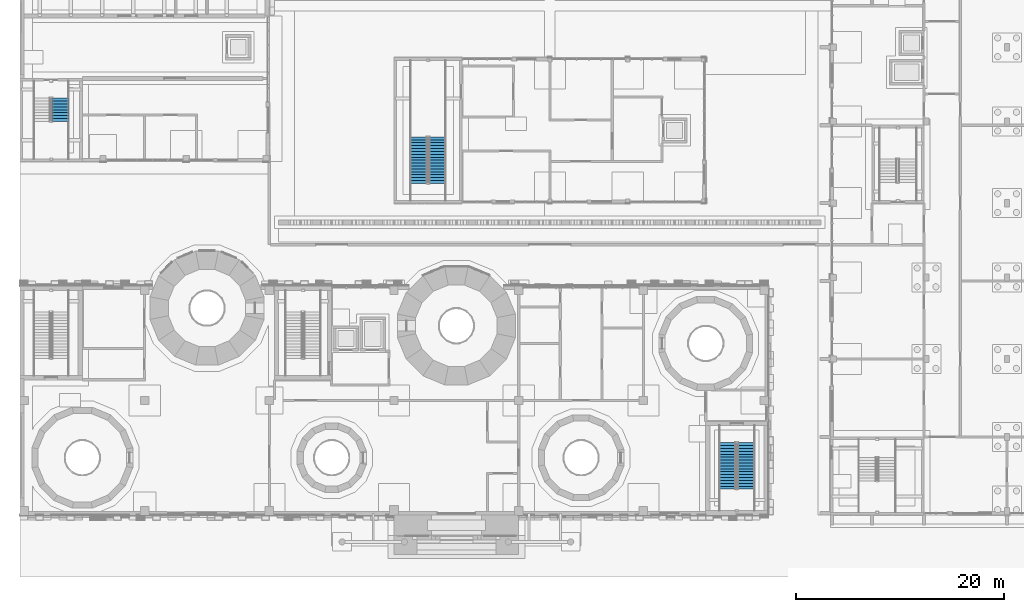
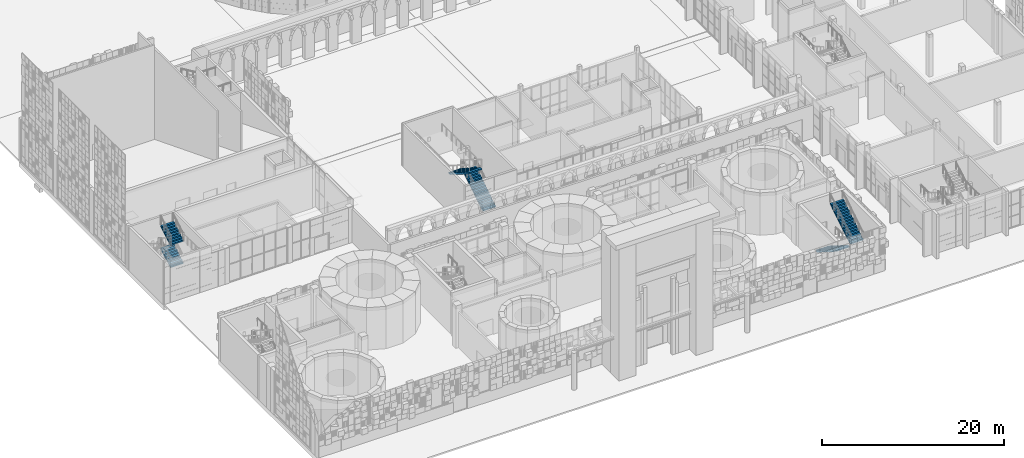
# One storey, part 61 of 125: 6 stair flights, 3 elements without a shape of their own.
"""IFC4 building model written with IfcOpenShell, lengths in metres."""

from ifc_helpers import new_model, si_unit, direction, frame, origin, place, context, subcontext, project, spatial, polyline, outline, extrude, material, type_object, element, aggregate, save


model = new_model("IFC4")

# Units and contexts
model_context = context("Model", 3, precision=1e-05, world=origin(), true_north=direction((0.0, 1.0)))
body_context = subcontext(model_context, "Body", "Model", "MODEL_VIEW")
ifc_project = project(units=[si_unit("LENGTHUNIT", "METRE"), si_unit("AREAUNIT", "SQUARE_METRE"), si_unit("VOLUMEUNIT", "CUBIC_METRE"), si_unit("PLANEANGLEUNIT", "RADIAN"), si_unit("MASSUNIT", "GRAM", prefix="KILO")], contexts=[model_context])

# Site, building, storey
site_placement = place(None, origin())
site = spatial("IfcSite", under=ifc_project, at=site_placement, CompositionType="ELEMENT")
building_placement = place(site_placement, origin())
building = spatial("IfcBuilding", under=site, at=building_placement, Name="Sun Court Science Centre", CompositionType="ELEMENT")
storey_placement = place(building_placement, origin())
storey = spatial("IfcBuildingStorey", under=building, at=storey_placement, Name="L00", CompositionType="ELEMENT", Elevation=0.0)

# Stair, stair flights
ifc_material_1 = material(Name="Concrete C25/30", Category="concrete")
stair_type = type_object("IfcStairType", Name="Stair 1500 enclosed half-turn", PredefinedType="HALF_TURN_STAIR", material=ifc_material_1)
stair_1_placement = place(storey_placement, origin())
stair_1 = element("IfcStair", 1, at=stair_1_placement, inside=storey, type_object=stair_type, Name="L00 Stair SB3", PredefinedType="HALF_TURN_STAIR")
ifc_material_2 = material(Name="Concrete C25/30", Category="concrete")
stair_flight_type = type_object("IfcStairFlightType", Name="Stair flight 1500 with waist", PredefinedType="STRAIGHT", material=ifc_material_2)
stair_flight_1_placement = place(storey_placement, frame((68.10107421875, 12.951904296875, 0.0), z_axis=(0.0, 0.0, 1.0), x_axis=(0.0, -1.0, 0.0)))
stair_flight_1 = element("IfcStairFlight", 2, at=stair_flight_1_placement, type_object=stair_flight_type, Name="SB3 flight 1", NumberOfRisers=17, NumberOfTreads=16, PredefinedType="STRAIGHT", RiserHeight=0.176470588, TreadLength=0.28, context=body_context, shape_type="SweptSolid", body=[
    extrude(outline(polyline([(0.0, 0.0), (0.0, 0.176513671875), (0.280029296875, 0.176513671875), (0.280029296875, 0.35302734375), (0.56005859375, 0.35302734375), (0.56005859375, 0.529296875), (0.840087890625, 0.529296875), (0.840087890625, 0.705810546875), (1.1201171875, 0.705810546875), (1.1201171875, 0.88232421875), (1.39990234375, 0.88232421875), (1.39990234375, 1.058837890625), (1.679931640625, 1.058837890625), (1.679931640625, 1.2353515625), (1.9599609375, 1.2353515625), (1.9599609375, 1.411865234375), (2.239990234375, 1.411865234375), (2.239990234375, 1.588134765625), (2.52001953125, 1.588134765625), (2.52001953125, 1.7646484375), (2.800048828125, 1.7646484375), (2.800048828125, 1.941162109375), (3.080078125, 1.941162109375), (3.080078125, 2.11767578125), (3.360107421875, 2.11767578125), (3.360107421875, 2.294189453125), (3.639892578125, 2.294189453125), (3.639892578125, 2.470703125), (3.919921875, 2.470703125), (3.919921875, 2.64697265625), (4.199951171875, 2.64697265625), (4.199951171875, 2.823486328125), (4.47998046875, 2.823486328125), (4.47998046875, 3.0), (4.47998046875, 2.646240234375), (0.28125, 0.0), (0.0, 0.0)])), frame((0.0, 0.823974609375, 0.0), z_axis=(0.0, -1.0, 0.0), x_axis=(1.0, 0.0, 0.0)), (0.0, 0.0, 1.0), 1.64794921875),
])
stair_flight_2_placement = place(storey_placement, frame((69.89892578125, 8.471923828125, 3.0), z_axis=(0.0, 0.0, 1.0), x_axis=(0.0, 1.0, 0.0)))
stair_flight_2 = element("IfcStairFlight", 3, at=stair_flight_2_placement, type_object=stair_flight_type, Name="SB3 flight 2", NumberOfRisers=17, NumberOfTreads=16, PredefinedType="STRAIGHT", RiserHeight=0.176470588, TreadLength=0.28, context=body_context, shape_type="SweptSolid", body=[
    extrude(outline(polyline([(0.0, 0.0), (0.0, 0.176513671875), (0.280029296875, 0.176513671875), (0.280029296875, 0.35302734375), (0.56005859375, 0.35302734375), (0.56005859375, 0.529296875), (0.840087890625, 0.529296875), (0.840087890625, 0.705810546875), (1.1201171875, 0.705810546875), (1.1201171875, 0.88232421875), (1.39990234375, 0.88232421875), (1.39990234375, 1.058837890625), (1.679931640625, 1.058837890625), (1.679931640625, 1.2353515625), (1.9599609375, 1.2353515625), (1.9599609375, 1.411865234375), (2.239990234375, 1.411865234375), (2.239990234375, 1.588134765625), (2.52001953125, 1.588134765625), (2.52001953125, 1.7646484375), (2.800048828125, 1.7646484375), (2.800048828125, 1.941162109375), (3.080078125, 1.941162109375), (3.080078125, 2.11767578125), (3.360107421875, 2.11767578125), (3.360107421875, 2.294189453125), (3.639892578125, 2.294189453125), (3.639892578125, 2.470703125), (3.919921875, 2.470703125), (3.919921875, 2.64697265625), (4.199951171875, 2.64697265625), (4.199951171875, 2.823486328125), (4.47998046875, 2.823486328125), (4.47998046875, 3.0), (4.47998046875, 2.646240234375), (0.28125, 0.0), (0.0, 0.0)])), frame((0.0, 0.823974609375, 0.0), z_axis=(0.0, -1.0, 0.0), x_axis=(1.0, 0.0, 0.0)), (0.0, 0.0, 1.0), 1.64794921875),
])
aggregate(stair_1, [stair_flight_1, stair_flight_2])

stair_2_placement = place(storey_placement, origin())
stair_2 = element("IfcStair", 4, at=stair_2_placement, inside=storey, type_object=stair_type, Name="L00 Stair ST1", PredefinedType="HALF_TURN_STAIR")
stair_flight_3_placement = place(storey_placement, frame((3.89892578125, 43.862060546875, 1.5), z_axis=(0.0, 0.0, 1.0), x_axis=(0.0, 1.0, 0.0)))
stair_flight_3 = element("IfcStairFlight", 5, at=stair_flight_3_placement, type_object=stair_flight_type, Name="ST1 flight 2", NumberOfRisers=9, NumberOfTreads=8, PredefinedType="STRAIGHT", RiserHeight=0.166666667, TreadLength=0.28, context=body_context, shape_type="SweptSolid", body=[
    extrude(outline(polyline([(0.0, 0.0), (0.0, 0.00244140625), (0.0, 0.0048828125), (0.0, 0.00732421875), (0.0, 0.009765625), (0.0, 0.01220703125), (0.0, 0.0146484375), (0.0, 0.01708984375), (0.0, 0.01953125), (0.0, 0.02197265625), (0.0, 0.0244140625), (0.0, 0.02685546875), (0.0, 0.029296875), (0.0, 0.03173828125), (0.0, 0.0341796875), (0.0, 0.03662109375), (0.0, 0.0390625), (0.0, 0.04150390625), (0.0, 0.0439453125), (0.0, 0.04638671875), (0.0, 0.048828125), (0.0, 0.05126953125), (0.0, 0.0537109375), (0.0, 0.05615234375), (0.0, 0.05859375), (0.0, 0.06103515625), (0.0, 0.0634765625), (0.0, 0.06591796875), (0.0, 0.068359375), (0.0, 0.07080078125), (0.0, 0.0732421875), (0.0, 0.07568359375), (0.0, 0.078125), (0.0, 0.08056640625), (0.0, 0.0830078125), (0.0, 0.08544921875), (0.0, 0.087890625), (0.0, 0.09033203125), (0.0, 0.0927734375), (0.0, 0.09521484375), (0.0, 0.09765625), (0.0, 0.10009765625), (0.0, 0.1025390625), (0.0, 0.10498046875), (0.0, 0.107421875), (0.0, 0.10986328125), (0.0, 0.1123046875), (0.0, 0.11474609375), (0.0, 0.1171875), (0.0, 0.11962890625), (0.0, 0.1220703125), (0.0, 0.12451171875), (0.0, 0.126953125), (0.0, 0.12939453125), (0.0, 0.1318359375), (0.0, 0.13427734375), (0.0, 0.13671875), (0.0, 0.13916015625), (0.0, 0.1416015625), (0.0, 0.14404296875), (0.0, 0.146484375), (0.0, 0.14892578125), (0.0, 0.1513671875), (0.0, 0.15380859375), (0.0, 0.15625), (0.0, 0.15869140625), (0.0, 0.1611328125), (0.0, 0.16357421875), (0.0, 0.166748046875), (0.280029296875, 0.166748046875), (0.280029296875, 0.333251953125), (0.56005859375, 0.333251953125), (0.56005859375, 0.5), (0.840087890625, 0.5), (0.840087890625, 0.666748046875), (1.1201171875, 0.666748046875), (1.1201171875, 0.833251953125), (1.39990234375, 0.833251953125), (1.39990234375, 1.0), (1.679931640625, 1.0), (1.679931640625, 1.166748046875), (1.9599609375, 1.166748046875), (1.9599609375, 1.333251953125), (2.239990234375, 1.333251953125), (2.239990234375, 1.335693359375), (2.239990234375, 1.338134765625), (2.239990234375, 1.340576171875), (2.239990234375, 1.343017578125), (2.239990234375, 1.345458984375), (2.239990234375, 1.347900390625), (2.239990234375, 1.350341796875), (2.239990234375, 1.352783203125), (2.239990234375, 1.355224609375), (2.239990234375, 1.357666015625), (2.239990234375, 1.360107421875), (2.239990234375, 1.362548828125), (2.239990234375, 1.364990234375), (2.239990234375, 1.367431640625), (2.239990234375, 1.369873046875), (2.239990234375, 1.372314453125), (2.239990234375, 1.374755859375), (2.239990234375, 1.377197265625), (2.239990234375, 1.379638671875), (2.239990234375, 1.382080078125), (2.239990234375, 1.384521484375), (2.239990234375, 1.386962890625), (2.239990234375, 1.389404296875), (2.239990234375, 1.391845703125), (2.239990234375, 1.394287109375), (2.239990234375, 1.396728515625), (2.239990234375, 1.399169921875), (2.239990234375, 1.401611328125), (2.239990234375, 1.404052734375), (2.239990234375, 1.406494140625), (2.239990234375, 1.408935546875), (2.239990234375, 1.411376953125), (2.239990234375, 1.413818359375), (2.239990234375, 1.416259765625), (2.239990234375, 1.418701171875), (2.239990234375, 1.421142578125), (2.239990234375, 1.423583984375), (2.239990234375, 1.426025390625), (2.239990234375, 1.428466796875), (2.239990234375, 1.430908203125), (2.239990234375, 1.433349609375), (2.239990234375, 1.435791015625), (2.239990234375, 1.438232421875), (2.239990234375, 1.440673828125), (2.239990234375, 1.443115234375), (2.239990234375, 1.445556640625), (2.239990234375, 1.447998046875), (2.239990234375, 1.450439453125), (2.239990234375, 1.452880859375), (2.239990234375, 1.455322265625), (2.239990234375, 1.457763671875), (2.239990234375, 1.460205078125), (2.239990234375, 1.462646484375), (2.239990234375, 1.465087890625), (2.239990234375, 1.467529296875), (2.239990234375, 1.469970703125), (2.239990234375, 1.472412109375), (2.239990234375, 1.474853515625), (2.239990234375, 1.477294921875), (2.239990234375, 1.479736328125), (2.239990234375, 1.482177734375), (2.239990234375, 1.484619140625), (2.239990234375, 1.487060546875), (2.239990234375, 1.489501953125), (2.239990234375, 1.491943359375), (2.239990234375, 1.494384765625), (2.239990234375, 1.496826171875), (2.239990234375, 1.5), (2.239990234375, 1.49755859375), (2.239990234375, 1.4951171875), (2.239990234375, 1.49267578125), (2.239990234375, 1.490234375), (2.239990234375, 1.48779296875), (2.239990234375, 1.4853515625), (2.239990234375, 1.48291015625), (2.239990234375, 1.48046875), (2.239990234375, 1.47802734375), (2.239990234375, 1.4755859375), (2.239990234375, 1.47314453125), (2.239990234375, 1.470703125), (2.239990234375, 1.46826171875), (2.239990234375, 1.4658203125), (2.239990234375, 1.46337890625), (2.239990234375, 1.4609375), (2.239990234375, 1.45849609375), (2.239990234375, 1.4560546875), (2.239990234375, 1.45361328125), (2.239990234375, 1.451171875), (2.239990234375, 1.44873046875), (2.239990234375, 1.4462890625), (2.239990234375, 1.44384765625), (2.239990234375, 1.44140625), (2.239990234375, 1.43896484375), (2.239990234375, 1.4365234375), (2.239990234375, 1.43408203125), (2.239990234375, 1.431640625), (2.239990234375, 1.42919921875), (2.239990234375, 1.4267578125), (2.239990234375, 1.42431640625), (2.239990234375, 1.421875), (2.239990234375, 1.41943359375), (2.239990234375, 1.4169921875), (2.239990234375, 1.41455078125), (2.239990234375, 1.412109375), (2.239990234375, 1.40966796875), (2.239990234375, 1.4072265625), (2.239990234375, 1.40478515625), (2.239990234375, 1.40234375), (2.239990234375, 1.39990234375), (2.239990234375, 1.3974609375), (2.239990234375, 1.39501953125), (2.239990234375, 1.392578125), (2.239990234375, 1.39013671875), (2.239990234375, 1.3876953125), (2.239990234375, 1.38525390625), (2.239990234375, 1.3828125), (2.239990234375, 1.38037109375), (2.239990234375, 1.3779296875), (2.239990234375, 1.37548828125), (2.239990234375, 1.373046875), (2.239990234375, 1.37060546875), (2.239990234375, 1.3681640625), (2.239990234375, 1.36572265625), (2.239990234375, 1.36328125), (2.239990234375, 1.36083984375), (2.239990234375, 1.3583984375), (2.239990234375, 1.35595703125), (2.239990234375, 1.353515625), (2.239990234375, 1.35107421875), (2.239990234375, 1.3486328125), (2.239990234375, 1.34619140625), (2.239990234375, 1.34375), (2.239990234375, 1.34130859375), (2.239990234375, 1.3388671875), (2.239990234375, 1.33642578125), (2.239990234375, 1.333984375), (2.239990234375, 1.33154296875), (2.239990234375, 1.3291015625), (2.239990234375, 1.32666015625), (2.239990234375, 1.32421875), (2.239990234375, 1.32177734375), (2.239990234375, 1.3193359375), (2.239990234375, 1.31689453125), (2.239990234375, 1.314453125), (2.239990234375, 1.31201171875), (2.239990234375, 1.3095703125), (2.239990234375, 1.30712890625), (2.239990234375, 1.3046875), (2.239990234375, 1.30224609375), (2.239990234375, 1.2998046875), (2.239990234375, 1.29736328125), (2.239990234375, 1.294921875), (2.239990234375, 1.29248046875), (2.239990234375, 1.2900390625), (2.239990234375, 1.28759765625), (2.239990234375, 1.28515625), (2.239990234375, 1.28271484375), (2.239990234375, 1.2802734375), (2.239990234375, 1.27783203125), (2.239990234375, 1.275390625), (2.239990234375, 1.27294921875), (2.239990234375, 1.2705078125), (2.239990234375, 1.26806640625), (2.239990234375, 1.265625), (2.239990234375, 1.26318359375), (2.239990234375, 1.2607421875), (2.239990234375, 1.25830078125), (2.239990234375, 1.255859375), (2.239990234375, 1.25341796875), (2.239990234375, 1.2509765625), (2.239990234375, 1.24853515625), (2.239990234375, 1.24609375), (2.239990234375, 1.24365234375), (2.239990234375, 1.2412109375), (2.239990234375, 1.23876953125), (2.239990234375, 1.236328125), (2.239990234375, 1.23388671875), (2.239990234375, 1.2314453125), (2.239990234375, 1.22900390625), (2.239990234375, 1.2265625), (2.239990234375, 1.22412109375), (2.239990234375, 1.2216796875), (2.239990234375, 1.21923828125), (2.239990234375, 1.216796875), (2.239990234375, 1.21435546875), (2.239990234375, 1.2119140625), (2.239990234375, 1.20947265625), (2.239990234375, 1.20703125), (2.239990234375, 1.20458984375), (2.239990234375, 1.2021484375), (2.239990234375, 1.19970703125), (2.239990234375, 1.197265625), (2.239990234375, 1.19482421875), (2.239990234375, 1.1923828125), (2.239990234375, 1.18994140625), (2.239990234375, 1.1875), (2.239990234375, 1.18505859375), (2.239990234375, 1.1826171875), (2.239990234375, 1.18017578125), (2.239990234375, 1.177734375), (2.239990234375, 1.17529296875), (2.239990234375, 1.1728515625), (2.239990234375, 1.17041015625), (2.239990234375, 1.16796875), (2.239990234375, 1.16552734375), (2.239990234375, 1.1630859375), (2.239990234375, 1.158935546875), (0.29296875, 0.0), (0.0, 0.0)])), frame((0.0, 0.823974609375, 0.0), z_axis=(0.0, -1.0, 0.0), x_axis=(1.0, 0.0, 0.0)), (0.0, 0.0, 1.0), 1.64794921875),
])
stair_flight_4_placement = place(storey_placement, frame((3.89892578125, 43.862060546875, 4.5), z_axis=(0.0, 0.0, 1.0), x_axis=(0.0, 1.0, 0.0)))
stair_flight_4 = element("IfcStairFlight", 6, at=stair_flight_4_placement, type_object=stair_flight_type, Name="ST1 flight 4", NumberOfRisers=9, NumberOfTreads=8, PredefinedType="STRAIGHT", RiserHeight=0.166666667, TreadLength=0.28, context=body_context, shape_type="SweptSolid", body=[
    extrude(outline(polyline([(0.0, 0.0), (0.0, 0.00244140625), (0.0, 0.0048828125), (0.0, 0.00732421875), (0.0, 0.009765625), (0.0, 0.01220703125), (0.0, 0.0146484375), (0.0, 0.01708984375), (0.0, 0.01953125), (0.0, 0.02197265625), (0.0, 0.0244140625), (0.0, 0.02685546875), (0.0, 0.029296875), (0.0, 0.03173828125), (0.0, 0.0341796875), (0.0, 0.03662109375), (0.0, 0.0390625), (0.0, 0.04150390625), (0.0, 0.0439453125), (0.0, 0.04638671875), (0.0, 0.048828125), (0.0, 0.05126953125), (0.0, 0.0537109375), (0.0, 0.05615234375), (0.0, 0.05859375), (0.0, 0.06103515625), (0.0, 0.0634765625), (0.0, 0.06591796875), (0.0, 0.068359375), (0.0, 0.07080078125), (0.0, 0.0732421875), (0.0, 0.07568359375), (0.0, 0.078125), (0.0, 0.08056640625), (0.0, 0.0830078125), (0.0, 0.08544921875), (0.0, 0.087890625), (0.0, 0.09033203125), (0.0, 0.0927734375), (0.0, 0.09521484375), (0.0, 0.09765625), (0.0, 0.10009765625), (0.0, 0.1025390625), (0.0, 0.10498046875), (0.0, 0.107421875), (0.0, 0.10986328125), (0.0, 0.1123046875), (0.0, 0.11474609375), (0.0, 0.1171875), (0.0, 0.11962890625), (0.0, 0.1220703125), (0.0, 0.12451171875), (0.0, 0.126953125), (0.0, 0.12939453125), (0.0, 0.1318359375), (0.0, 0.13427734375), (0.0, 0.13671875), (0.0, 0.13916015625), (0.0, 0.1416015625), (0.0, 0.14404296875), (0.0, 0.146484375), (0.0, 0.14892578125), (0.0, 0.1513671875), (0.0, 0.15380859375), (0.0, 0.15625), (0.0, 0.15869140625), (0.0, 0.1611328125), (0.0, 0.16357421875), (0.0, 0.166748046875), (0.280029296875, 0.166748046875), (0.280029296875, 0.333251953125), (0.56005859375, 0.333251953125), (0.56005859375, 0.5), (0.840087890625, 0.5), (0.840087890625, 0.666748046875), (1.1201171875, 0.666748046875), (1.1201171875, 0.833251953125), (1.39990234375, 0.833251953125), (1.39990234375, 1.0), (1.679931640625, 1.0), (1.679931640625, 1.166748046875), (1.9599609375, 1.166748046875), (1.9599609375, 1.333251953125), (2.239990234375, 1.333251953125), (2.239990234375, 1.335693359375), (2.239990234375, 1.338134765625), (2.239990234375, 1.340576171875), (2.239990234375, 1.343017578125), (2.239990234375, 1.345458984375), (2.239990234375, 1.347900390625), (2.239990234375, 1.350341796875), (2.239990234375, 1.352783203125), (2.239990234375, 1.355224609375), (2.239990234375, 1.357666015625), (2.239990234375, 1.360107421875), (2.239990234375, 1.362548828125), (2.239990234375, 1.364990234375), (2.239990234375, 1.367431640625), (2.239990234375, 1.369873046875), (2.239990234375, 1.372314453125), (2.239990234375, 1.374755859375), (2.239990234375, 1.377197265625), (2.239990234375, 1.379638671875), (2.239990234375, 1.382080078125), (2.239990234375, 1.384521484375), (2.239990234375, 1.386962890625), (2.239990234375, 1.389404296875), (2.239990234375, 1.391845703125), (2.239990234375, 1.394287109375), (2.239990234375, 1.396728515625), (2.239990234375, 1.399169921875), (2.239990234375, 1.401611328125), (2.239990234375, 1.404052734375), (2.239990234375, 1.406494140625), (2.239990234375, 1.408935546875), (2.239990234375, 1.411376953125), (2.239990234375, 1.413818359375), (2.239990234375, 1.416259765625), (2.239990234375, 1.418701171875), (2.239990234375, 1.421142578125), (2.239990234375, 1.423583984375), (2.239990234375, 1.426025390625), (2.239990234375, 1.428466796875), (2.239990234375, 1.430908203125), (2.239990234375, 1.433349609375), (2.239990234375, 1.435791015625), (2.239990234375, 1.438232421875), (2.239990234375, 1.440673828125), (2.239990234375, 1.443115234375), (2.239990234375, 1.445556640625), (2.239990234375, 1.447998046875), (2.239990234375, 1.450439453125), (2.239990234375, 1.452880859375), (2.239990234375, 1.455322265625), (2.239990234375, 1.457763671875), (2.239990234375, 1.460205078125), (2.239990234375, 1.462646484375), (2.239990234375, 1.465087890625), (2.239990234375, 1.467529296875), (2.239990234375, 1.469970703125), (2.239990234375, 1.472412109375), (2.239990234375, 1.474853515625), (2.239990234375, 1.477294921875), (2.239990234375, 1.479736328125), (2.239990234375, 1.482177734375), (2.239990234375, 1.484619140625), (2.239990234375, 1.487060546875), (2.239990234375, 1.489501953125), (2.239990234375, 1.491943359375), (2.239990234375, 1.494384765625), (2.239990234375, 1.496826171875), (2.239990234375, 1.5), (2.239990234375, 1.49755859375), (2.239990234375, 1.4951171875), (2.239990234375, 1.49267578125), (2.239990234375, 1.490234375), (2.239990234375, 1.48779296875), (2.239990234375, 1.4853515625), (2.239990234375, 1.48291015625), (2.239990234375, 1.48046875), (2.239990234375, 1.47802734375), (2.239990234375, 1.4755859375), (2.239990234375, 1.47314453125), (2.239990234375, 1.470703125), (2.239990234375, 1.46826171875), (2.239990234375, 1.4658203125), (2.239990234375, 1.46337890625), (2.239990234375, 1.4609375), (2.239990234375, 1.45849609375), (2.239990234375, 1.4560546875), (2.239990234375, 1.45361328125), (2.239990234375, 1.451171875), (2.239990234375, 1.44873046875), (2.239990234375, 1.4462890625), (2.239990234375, 1.44384765625), (2.239990234375, 1.44140625), (2.239990234375, 1.43896484375), (2.239990234375, 1.4365234375), (2.239990234375, 1.43408203125), (2.239990234375, 1.431640625), (2.239990234375, 1.42919921875), (2.239990234375, 1.4267578125), (2.239990234375, 1.42431640625), (2.239990234375, 1.421875), (2.239990234375, 1.41943359375), (2.239990234375, 1.4169921875), (2.239990234375, 1.41455078125), (2.239990234375, 1.412109375), (2.239990234375, 1.40966796875), (2.239990234375, 1.4072265625), (2.239990234375, 1.40478515625), (2.239990234375, 1.40234375), (2.239990234375, 1.39990234375), (2.239990234375, 1.3974609375), (2.239990234375, 1.39501953125), (2.239990234375, 1.392578125), (2.239990234375, 1.39013671875), (2.239990234375, 1.3876953125), (2.239990234375, 1.38525390625), (2.239990234375, 1.3828125), (2.239990234375, 1.38037109375), (2.239990234375, 1.3779296875), (2.239990234375, 1.37548828125), (2.239990234375, 1.373046875), (2.239990234375, 1.37060546875), (2.239990234375, 1.3681640625), (2.239990234375, 1.36572265625), (2.239990234375, 1.36328125), (2.239990234375, 1.36083984375), (2.239990234375, 1.3583984375), (2.239990234375, 1.35595703125), (2.239990234375, 1.353515625), (2.239990234375, 1.35107421875), (2.239990234375, 1.3486328125), (2.239990234375, 1.34619140625), (2.239990234375, 1.34375), (2.239990234375, 1.34130859375), (2.239990234375, 1.3388671875), (2.239990234375, 1.33642578125), (2.239990234375, 1.333984375), (2.239990234375, 1.33154296875), (2.239990234375, 1.3291015625), (2.239990234375, 1.32666015625), (2.239990234375, 1.32421875), (2.239990234375, 1.32177734375), (2.239990234375, 1.3193359375), (2.239990234375, 1.31689453125), (2.239990234375, 1.314453125), (2.239990234375, 1.31201171875), (2.239990234375, 1.3095703125), (2.239990234375, 1.30712890625), (2.239990234375, 1.3046875), (2.239990234375, 1.30224609375), (2.239990234375, 1.2998046875), (2.239990234375, 1.29736328125), (2.239990234375, 1.294921875), (2.239990234375, 1.29248046875), (2.239990234375, 1.2900390625), (2.239990234375, 1.28759765625), (2.239990234375, 1.28515625), (2.239990234375, 1.28271484375), (2.239990234375, 1.2802734375), (2.239990234375, 1.27783203125), (2.239990234375, 1.275390625), (2.239990234375, 1.27294921875), (2.239990234375, 1.2705078125), (2.239990234375, 1.26806640625), (2.239990234375, 1.265625), (2.239990234375, 1.26318359375), (2.239990234375, 1.2607421875), (2.239990234375, 1.25830078125), (2.239990234375, 1.255859375), (2.239990234375, 1.25341796875), (2.239990234375, 1.2509765625), (2.239990234375, 1.24853515625), (2.239990234375, 1.24609375), (2.239990234375, 1.24365234375), (2.239990234375, 1.2412109375), (2.239990234375, 1.23876953125), (2.239990234375, 1.236328125), (2.239990234375, 1.23388671875), (2.239990234375, 1.2314453125), (2.239990234375, 1.22900390625), (2.239990234375, 1.2265625), (2.239990234375, 1.22412109375), (2.239990234375, 1.2216796875), (2.239990234375, 1.21923828125), (2.239990234375, 1.216796875), (2.239990234375, 1.21435546875), (2.239990234375, 1.2119140625), (2.239990234375, 1.20947265625), (2.239990234375, 1.20703125), (2.239990234375, 1.20458984375), (2.239990234375, 1.2021484375), (2.239990234375, 1.19970703125), (2.239990234375, 1.197265625), (2.239990234375, 1.19482421875), (2.239990234375, 1.1923828125), (2.239990234375, 1.18994140625), (2.239990234375, 1.1875), (2.239990234375, 1.18505859375), (2.239990234375, 1.1826171875), (2.239990234375, 1.18017578125), (2.239990234375, 1.177734375), (2.239990234375, 1.17529296875), (2.239990234375, 1.1728515625), (2.239990234375, 1.17041015625), (2.239990234375, 1.16796875), (2.239990234375, 1.16552734375), (2.239990234375, 1.1630859375), (2.239990234375, 1.158935546875), (0.29296875, 0.0), (0.0, 0.0)])), frame((0.0, 0.823974609375, 0.0), z_axis=(0.0, -1.0, 0.0), x_axis=(1.0, 0.0, 0.0)), (0.0, 0.0, 1.0), 1.64794921875),
])
aggregate(stair_2, [stair_flight_3, stair_flight_4])

stair_3_placement = place(storey_placement, origin())
stair_3 = element("IfcStair", 7, at=stair_3_placement, inside=storey, type_object=stair_type, Name="L00 Stair SP1", PredefinedType="HALF_TURN_STAIR")
stair_flight_5_placement = place(storey_placement, frame((40.174072265625, 37.89794921875, 0.0), z_axis=(0.0, 0.0, 1.0), x_axis=(0.0, 1.0, 0.0)))
stair_flight_5 = element("IfcStairFlight", 8, at=stair_flight_5_placement, type_object=stair_flight_type, Name="SP1 flight 1", NumberOfRisers=17, NumberOfTreads=16, PredefinedType="STRAIGHT", RiserHeight=0.176470588, TreadLength=0.28, context=body_context, shape_type="SweptSolid", body=[
    extrude(outline(polyline([(0.0, 0.0), (0.0, 0.176513671875), (0.280029296875, 0.176513671875), (0.280029296875, 0.35302734375), (0.56005859375, 0.35302734375), (0.56005859375, 0.529296875), (0.840087890625, 0.529296875), (0.840087890625, 0.705810546875), (1.1201171875, 0.705810546875), (1.1201171875, 0.88232421875), (1.39990234375, 0.88232421875), (1.39990234375, 1.058837890625), (1.679931640625, 1.058837890625), (1.679931640625, 1.2353515625), (1.9599609375, 1.2353515625), (1.9599609375, 1.411865234375), (2.239990234375, 1.411865234375), (2.239990234375, 1.588134765625), (2.52001953125, 1.588134765625), (2.52001953125, 1.7646484375), (2.800048828125, 1.7646484375), (2.800048828125, 1.941162109375), (3.080078125, 1.941162109375), (3.080078125, 2.11767578125), (3.360107421875, 2.11767578125), (3.360107421875, 2.294189453125), (3.639892578125, 2.294189453125), (3.639892578125, 2.470703125), (3.919921875, 2.470703125), (3.919921875, 2.64697265625), (4.199951171875, 2.64697265625), (4.199951171875, 2.823486328125), (4.47998046875, 2.823486328125), (4.47998046875, 3.0), (4.47998046875, 2.646240234375), (0.28125, 0.0), (0.0, 0.0)])), frame((0.0, 0.823974609375, 0.0), z_axis=(0.0, -1.0, 0.0), x_axis=(1.0, 0.0, 0.0)), (0.0, 0.0, 1.0), 1.64794921875),
])
stair_flight_6_placement = place(storey_placement, frame((38.3759765625, 42.3779296875, 3.0), z_axis=(0.0, 0.0, 1.0), x_axis=(0.0, -1.0, 0.0)))
stair_flight_6 = element("IfcStairFlight", 9, at=stair_flight_6_placement, type_object=stair_flight_type, Name="SP1 flight 2", NumberOfRisers=17, NumberOfTreads=16, PredefinedType="STRAIGHT", RiserHeight=0.176470588, TreadLength=0.28, context=body_context, shape_type="SweptSolid", body=[
    extrude(outline(polyline([(0.0, 0.0), (0.0, 0.176513671875), (0.280029296875, 0.176513671875), (0.280029296875, 0.35302734375), (0.56005859375, 0.35302734375), (0.56005859375, 0.529296875), (0.840087890625, 0.529296875), (0.840087890625, 0.705810546875), (1.1201171875, 0.705810546875), (1.1201171875, 0.88232421875), (1.39990234375, 0.88232421875), (1.39990234375, 1.058837890625), (1.679931640625, 1.058837890625), (1.679931640625, 1.2353515625), (1.9599609375, 1.2353515625), (1.9599609375, 1.411865234375), (2.239990234375, 1.411865234375), (2.239990234375, 1.588134765625), (2.52001953125, 1.588134765625), (2.52001953125, 1.7646484375), (2.800048828125, 1.7646484375), (2.800048828125, 1.941162109375), (3.080078125, 1.941162109375), (3.080078125, 2.11767578125), (3.360107421875, 2.11767578125), (3.360107421875, 2.294189453125), (3.639892578125, 2.294189453125), (3.639892578125, 2.470703125), (3.919921875, 2.470703125), (3.919921875, 2.64697265625), (4.199951171875, 2.64697265625), (4.199951171875, 2.823486328125), (4.47998046875, 2.823486328125), (4.47998046875, 3.0), (4.47998046875, 2.646240234375), (0.28125, 0.0), (0.0, 0.0)])), frame((0.0, 0.823974609375, 0.0), z_axis=(0.0, -1.0, 0.0), x_axis=(1.0, 0.0, 0.0)), (0.0, 0.0, 1.0), 1.64794921875),
])
aggregate(stair_3, [stair_flight_5, stair_flight_6])

save(model, "model.ifc")
